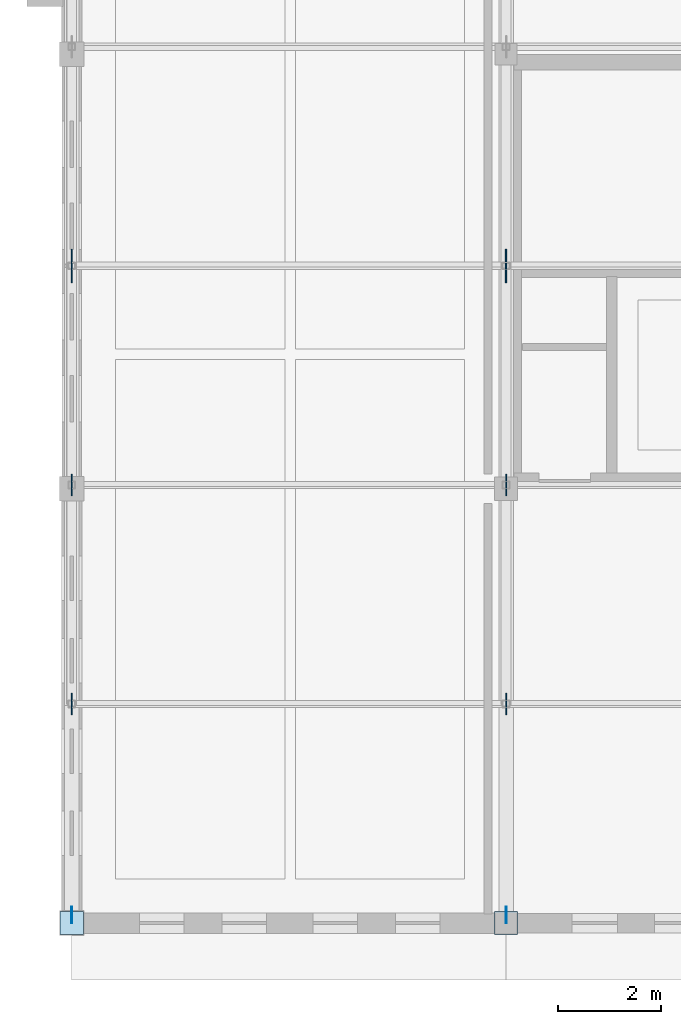
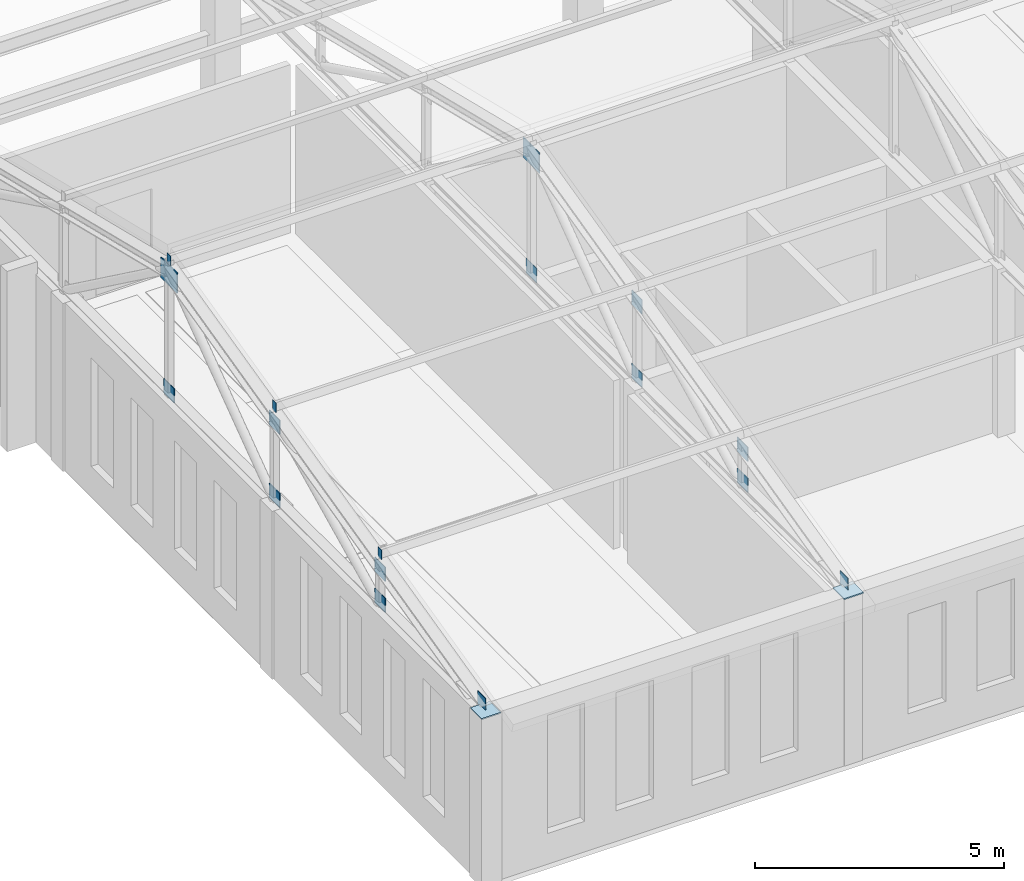
# One storey, part 130 of 192: 19 plates.
"""IFC4 building model written with IfcOpenShell, lengths in metres."""

from ifc_helpers import new_model, si_unit, direction, frame, origin, origin_2d, place, context, subcontext, project, spatial, rectangle, extrude, material, layer, layer_set, type_object, element, save


model = new_model("IFC4")

# Units and contexts
model_context = context("Model", 3, precision=1e-05, world=origin(), true_north=direction((0.0, 1.0)))
body_context = subcontext(model_context, "Body", "Model", "MODEL_VIEW")
ifc_project = project(units=[si_unit("LENGTHUNIT", "METRE"), si_unit("AREAUNIT", "SQUARE_METRE"), si_unit("VOLUMEUNIT", "CUBIC_METRE"), si_unit("PLANEANGLEUNIT", "RADIAN"), si_unit("MASSUNIT", "GRAM", prefix="KILO")], contexts=[model_context])

# Site, building, storey
site_placement = place(None, origin())
site = spatial("IfcSite", under=ifc_project, at=site_placement, CompositionType="ELEMENT")
building_placement = place(site_placement, origin())
building = spatial("IfcBuilding", under=site, at=building_placement, Name="Kveldsbrygga Polytechnic", CompositionType="ELEMENT")
storey_placement = place(building_placement, frame((0.0, 0.0, 5.43994140625)))
storey = spatial("IfcBuildingStorey", under=building, at=storey_placement, Name="L01", CompositionType="ELEMENT", Elevation=5.43994140625)

# Plates
ifc_material = material(Name="Steel S355", Category="steel")
ifc_layer_1 = layer(ifc_material, 0.030029296875)
ifc_layer_set_1 = layer_set([ifc_layer_1], Name="Steel S355")
plate_type_1 = type_object("IfcPlateType", Name="CAP-BEAR-450", PredefinedType="SHEET", material=ifc_layer_set_1)
for number, where, z_axis, x_axis, name in (
    (1, (0.0, 0.0, 4.08984375), (0.0, 0.0, 1.0), (1.0, 0.0, 0.0), "Truss Bearing Plate V5S-T01-A"),
    (2, (8.39990234375, 0.0, 4.08984375), (0.0, 0.0, 1.0), (1.0, 0.0, 0.0), "Truss Bearing Plate V5S-T02-A"),
):
    element("IfcPlate", number, at=place(storey_placement, frame(where, z_axis=z_axis, x_axis=x_axis)), inside=storey, type_object=plate_type_1, Name=name, PredefinedType="SHEET", context=body_context, shape_type="SweptSolid", body=[
        extrude(rectangle(XDim=0.449951171875, YDim=0.449951171875, at=origin_2d()), origin(), (0.0, 0.0, 1.0), 0.030029296875),
    ])
ifc_layer_2 = layer(ifc_material, 0.011962890625)
ifc_layer_set_2 = layer_set([ifc_layer_2], Name="Steel S355")
plate_type_2 = type_object("IfcPlateType", Name="CAP-PRL-200", PredefinedType="SHEET", material=ifc_layer_set_2)
for number, where, z_axis, x_axis, name in (
    (3, (-0.006103515625, 4.236572265625, 5.27001953125), (0.0, 0.0, 1.0), (1.0, 0.0, 0.0), "Purlin End Cap Plate V5S-EP-A-1"),
    (4, (-0.006103515625, 8.473388671875, 6.3037109375), (0.0, 0.0, 1.0), (1.0, 0.0, 0.0), "Purlin End Cap Plate V5S-EP-A-2"),
    (5, (-0.006103515625, 12.7099609375, 7.3369140625), (0.0, 0.0, 1.0), (1.0, 0.0, 0.0), "Purlin End Cap Plate V5S-EP-A-3"),
):
    element("IfcPlate", number, at=place(storey_placement, frame(where, z_axis=z_axis, x_axis=x_axis)), inside=storey, type_object=plate_type_2, Name=name, PredefinedType="SHEET", context=body_context, shape_type="SweptSolid", body=[
        extrude(rectangle(XDim=0.011962890625, YDim=0.139892578125, at=origin_2d()), origin(), (0.0, 0.0, 1.0), 0.239990234375),
    ])
ifc_layer_3 = layer(ifc_material, 0.02490234375)
ifc_layer_set_3 = layer_set([ifc_layer_3], Name="Steel S355")
plate_type_3 = type_object("IfcPlateType", Name="GUS-APEX-650", PredefinedType="SHEET", material=ifc_layer_set_3)
for number, where, z_axis, x_axis, name in (
    (6, (0.0, 12.7099609375, 6.820068359375), (0.0, 0.0, 1.0), (1.0, 0.0, 0.0), "Truss Gusset Plate V5S-T01-GP-3"),
    (7, (8.39990234375, 12.7099609375, 6.820068359375), (0.0, 0.0, 1.0), (1.0, 0.0, 0.0), "Truss Gusset Plate V5S-T02-GP-3"),
):
    element("IfcPlate", number, at=place(storey_placement, frame(where, z_axis=z_axis, x_axis=x_axis)), inside=storey, type_object=plate_type_3, Name=name, PredefinedType="SHEET", context=body_context, shape_type="SweptSolid", body=[
        extrude(rectangle(XDim=0.02490234375, YDim=0.64990234375, at=origin_2d()), origin(), (0.0, 0.0, 1.0), 0.5),
    ])
ifc_layer_4 = layer(ifc_material, 0.01806640625)
ifc_layer_set_4 = layer_set([ifc_layer_4], Name="Steel S355")
plate_type_4 = type_object("IfcPlateType", Name="GUS-BRACE-320", PredefinedType="SHEET", material=ifc_layer_set_4)
for number, where, z_axis, x_axis, name in (
    (8, (0.0, 0.159912109375, 4.080078125), (0.0, 0.0, 1.0), (1.0, 0.0, 0.0), "Truss Eaves Node Gusset V5S-T01-EGP-A"),
    (9, (8.39990234375, 0.159912109375, 4.080078125), (0.0, 0.0, 1.0), (1.0, 0.0, 0.0), "Truss Eaves Node Gusset V5S-T02-EGP-A"),
):
    element("IfcPlate", number, at=place(storey_placement, frame(where, z_axis=z_axis, x_axis=x_axis)), inside=storey, type_object=plate_type_4, Name=name, PredefinedType="SHEET", context=body_context, shape_type="SweptSolid", body=[
        extrude(rectangle(XDim=0.01806640625, YDim=0.320068359375, at=origin_2d()), origin(), (0.0, 0.0, 1.0), 0.320068359375),
    ])
ifc_layer_5 = layer(ifc_material, 0.02001953125)
ifc_layer_set_5 = layer_set([ifc_layer_5], Name="Steel S355")
plate_type_5 = type_object("IfcPlateType", Name="GUS-LECT-420", PredefinedType="SHEET", material=ifc_layer_set_5)
for number, where, z_axis, x_axis, name in (
    (10, (0.0, 4.236572265625, 4.828369140625), (0.0, 0.0, 1.0), (1.0, 0.0, 0.0), "Truss Gusset Plate V5S-T01-GP-1"),
    (11, (0.0, 4.236572265625, 4.06494140625), (0.0, 0.0, 1.0), (1.0, 0.0, 0.0), "Truss Bottom-Chord Node Gusset V5S-T01-BGP-1"),
    (12, (0.0, 8.473388671875, 5.861572265625), (0.0, 0.0, 1.0), (1.0, 0.0, 0.0), "Truss Gusset Plate V5S-T01-GP-2"),
    (13, (0.0, 8.473388671875, 4.06494140625), (0.0, 0.0, 1.0), (1.0, 0.0, 0.0), "Truss Bottom-Chord Node Gusset V5S-T01-BGP-2"),
    (14, (0.0, 12.7099609375, 4.06494140625), (0.0, 0.0, 1.0), (1.0, 0.0, 0.0), "Truss Bottom-Chord Node Gusset V5S-T01-BGP-3"),
    (15, (8.39990234375, 4.236572265625, 4.828369140625), (0.0, 0.0, 1.0), (1.0, 0.0, 0.0), "Truss Gusset Plate V5S-T02-GP-1"),
    (16, (8.39990234375, 4.236572265625, 4.06494140625), (0.0, 0.0, 1.0), (1.0, 0.0, 0.0), "Truss Bottom-Chord Node Gusset V5S-T02-BGP-1"),
    (17, (8.39990234375, 8.473388671875, 5.861572265625), (0.0, 0.0, 1.0), (1.0, 0.0, 0.0), "Truss Gusset Plate V5S-T02-GP-2"),
    (18, (8.39990234375, 8.473388671875, 4.06494140625), (0.0, 0.0, 1.0), (1.0, 0.0, 0.0), "Truss Bottom-Chord Node Gusset V5S-T02-BGP-2"),
    (19, (8.39990234375, 12.7099609375, 4.06494140625), (0.0, 0.0, 1.0), (1.0, 0.0, 0.0), "Truss Bottom-Chord Node Gusset V5S-T02-BGP-3"),
):
    element("IfcPlate", number, at=place(storey_placement, frame(where, z_axis=z_axis, x_axis=x_axis)), inside=storey, type_object=plate_type_5, Name=name, PredefinedType="SHEET", context=body_context, shape_type="SweptSolid", body=[
        extrude(rectangle(XDim=0.02001953125, YDim=0.419921875, at=origin_2d()), origin(), (0.0, 0.0, 1.0), 0.35009765625),
    ])

save(model, "model.ifc")
